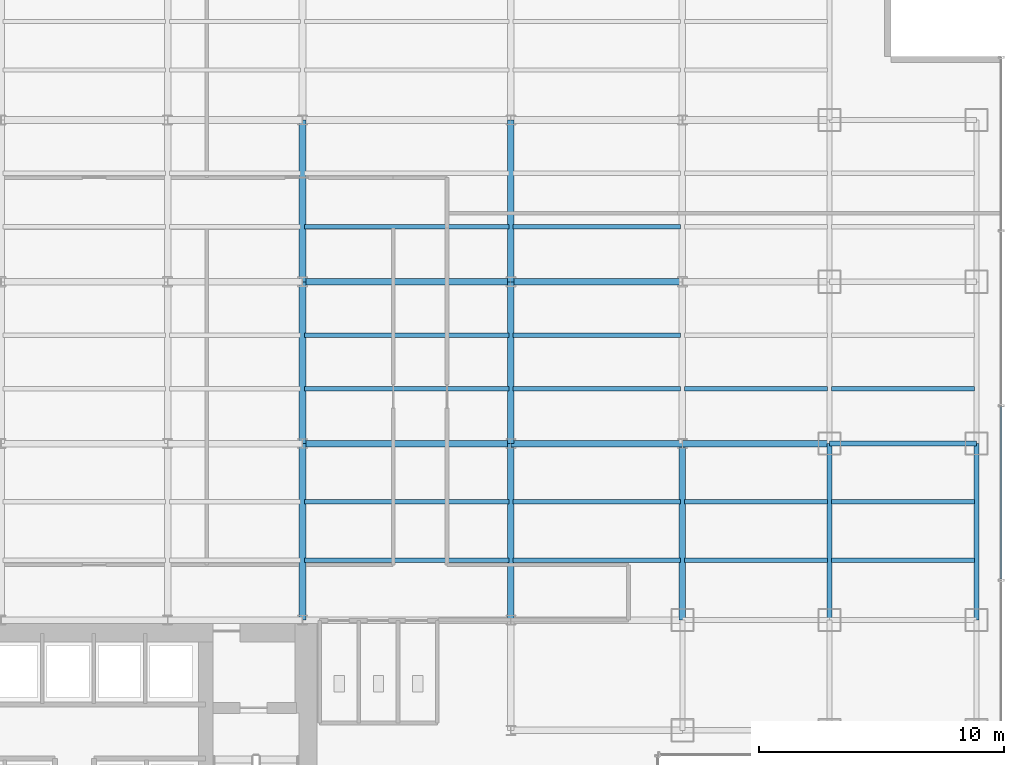
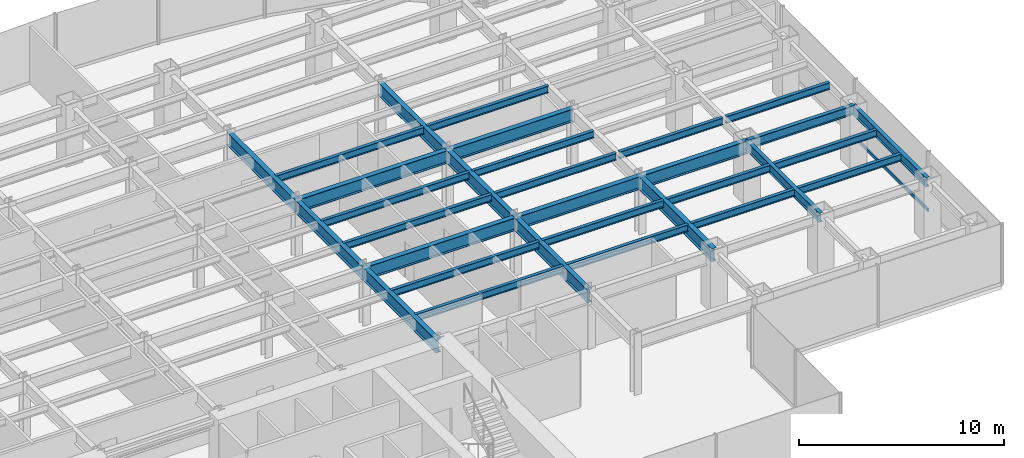
# One storey, part 8 of 23: 31 beams, 1 member, 1 element without a shape of its own.
"""IFC4 building model written with IfcOpenShell, lengths in metres."""

from ifc_helpers import new_model, si_unit, derived_unit, direction, frame, origin, origin_2d, place, context, subcontext, project, spatial, hollow_rectangle, i_section, extrude, source, transform, mapped, material, material_profile, profile_set, type_object, element, aggregate, save


model = new_model("IFC4")

# Units and contexts
model_context = context("Model", 3, precision=1e-05, world=origin(), true_north=direction((0.0, 1.0)))
body_context = subcontext(model_context, "Body", "Model", "MODEL_VIEW")
ifc_project = project(units=[si_unit("LENGTHUNIT", "METRE"), si_unit("AREAUNIT", "SQUARE_METRE"), si_unit("VOLUMEUNIT", "CUBIC_METRE"), si_unit("PLANEANGLEUNIT", "RADIAN"), si_unit("MASSUNIT", "GRAM", prefix="KILO"), derived_unit("THERMALTRANSMITTANCEUNIT", [(si_unit("POWERUNIT", "WATT"), 1), (si_unit("LENGTHUNIT", "METRE"), -2), (si_unit("THERMODYNAMICTEMPERATUREUNIT", "KELVIN"), -1)])], contexts=[model_context])

# Site, building, storey
site_placement = place(None, origin())
site = spatial("IfcSite", under=ifc_project, at=site_placement, CompositionType="ELEMENT")
building_placement = place(site_placement, origin())
building = spatial("IfcBuilding", under=site, at=building_placement, Name="Skarnbrae Concourse Arena and Tower", CompositionType="ELEMENT")
storey_placement = place(building_placement, frame((0.0, 0.0, 47.10009765625)))
storey = spatial("IfcBuildingStorey", under=building, at=storey_placement, Name="L10", CompositionType="ELEMENT", Elevation=47.10009765625)

# Beams
ifc_material_1 = material(Name="Steel CSA G40.21 350W", Category="steel")
ifc_material_profile_1 = material_profile(ifc_material_1, i_section(OverallWidth=0.26806640625, OverallDepth=0.77001953125, WebThickness=0.015625, FlangeThickness=0.025390625, at=origin_2d()), Name="W760X196")
ifc_profile_set_1 = profile_set([ifc_material_profile_1], Name="Steel CSA G40.21 350W")
beam_type_1 = type_object("IfcBeamType", Name="BM-GIRD-W760X196", PredefinedType="BEAM", material=ifc_profile_set_1)
shared_shape_1 = source(origin(), body_context, "Body", "SweptSolid", [
    extrude(i_section(OverallWidth=0.26806640625, OverallDepth=0.77001953125, WebThickness=0.015625, FlangeThickness=0.025390625, at=origin_2d()), origin(), (0.0, 0.0, 1.0), 7.0),
])
for number, where, z_axis, x_axis, name in (
    (1, (42.0, 21.199951171875, 3.014892578125), (1.0, 0.0, 0.0), (0.0, 1.0, 0.0), "L10 Primary E-W girder Y21.2-7"),
    (2, (42.0, 27.800048828125, 3.014892578125), (1.0, 0.0, 0.0), (0.0, 1.0, 0.0), "L10 Primary E-W girder Y27.8-7"),
):
    element("IfcBeam", number, at=place(storey_placement, frame(where, z_axis=z_axis, x_axis=x_axis)), inside=storey, type_object=beam_type_1, Name=name, PredefinedType="BEAM", context=body_context, shape_type="MappedRepresentation", body=[
        mapped(shared_shape_1, transform((0.0, 0.0, 0.0))),
    ])
ifc_material_profile_2 = material_profile(ifc_material_1, i_section(OverallWidth=0.214111328125, OverallDepth=0.549072265625, WebThickness=0.0146484375, FlangeThickness=0.023681640625, at=origin_2d()), Name="W530X138")
ifc_profile_set_2 = profile_set([ifc_material_profile_2], Name="Steel CSA G40.21 350W")
beam_type_2 = type_object("IfcBeamType", Name="BM-SPAN-W530X138", PredefinedType="SPANDREL", material=ifc_profile_set_2)
shared_shape_2 = source(origin(), body_context, "Body", "SweptSolid", [
    extrude(i_section(OverallWidth=0.214111328125, OverallDepth=0.549072265625, WebThickness=0.0146484375, FlangeThickness=0.023681640625, at=origin_2d()), origin(), (0.0, 0.0, 1.0), 6.0),
])
beam_1_placement = place(storey_placement, frame((55.0, 21.199951171875, 3.12548828125), z_axis=(1.0, 0.0, 0.0), x_axis=(0.0, 1.0, 0.0)))
element("IfcBeam", 3, at=beam_1_placement, inside=storey, type_object=beam_type_2, Name="L10 Perimeter spandrel Y21.2-9", PredefinedType="SPANDREL", context=body_context, shape_type="MappedRepresentation", body=[
    mapped(shared_shape_2, transform((0.0, 0.0, 0.0))),
])
shared_shape_3 = source(origin(), body_context, "Body", "SweptSolid", [
    extrude(i_section(OverallWidth=0.26806640625, OverallDepth=0.77001953125, WebThickness=0.015625, FlangeThickness=0.025390625, at=origin_2d()), origin(), (0.0, 0.0, 1.0), 6.60009765625),
])
for number, where, z_axis, x_axis, name in (
    (4, (33.5, 21.199951171875, 3.014892578125), (0.0, 1.0, 0.0), (-1.0, 0.0, 0.0), "L10 Primary N-S girder X33.5-2"),
    (5, (42.0, 21.199951171875, 3.014892578125), (0.0, 1.0, 0.0), (-1.0, 0.0, 0.0), "L10 Primary N-S girder X42.0-3"),
):
    element("IfcBeam", number, at=place(storey_placement, frame(where, z_axis=z_axis, x_axis=x_axis)), inside=storey, type_object=beam_type_1, Name=name, PredefinedType="BEAM", context=body_context, shape_type="MappedRepresentation", body=[
        mapped(shared_shape_3, transform((0.0, 0.0, 0.0))),
    ])
shared_shape_4 = source(origin(), body_context, "Body", "SweptSolid", [
    extrude(i_section(OverallWidth=0.26806640625, OverallDepth=0.77001953125, WebThickness=0.015625, FlangeThickness=0.025390625, at=origin_2d()), origin(), (0.0, 0.0, 1.0), 8.5),
])
for number, where, z_axis, x_axis, name in (
    (6, (33.5, 21.199951171875, 3.014892578125), (1.0, 0.0, 0.0), (0.0, 1.0, 0.0), "L10 Primary E-W girder Y21.2-6"),
    (7, (33.5, 27.800048828125, 3.014892578125), (1.0, 0.0, 0.0), (0.0, 1.0, 0.0), "L10 Primary E-W girder Y27.8-6"),
):
    element("IfcBeam", number, at=place(storey_placement, frame(where, z_axis=z_axis, x_axis=x_axis)), inside=storey, type_object=beam_type_1, Name=name, PredefinedType="BEAM", context=body_context, shape_type="MappedRepresentation", body=[
        mapped(shared_shape_4, transform((0.0, 0.0, 0.0))),
    ])
shared_shape_5 = source(origin(), body_context, "Body", "SweptSolid", [
    extrude(i_section(OverallWidth=0.26806640625, OverallDepth=0.77001953125, WebThickness=0.015625, FlangeThickness=0.025390625, at=origin_2d()), origin(), (0.0, 0.0, 1.0), 6.0),
])
beam_2_placement = place(storey_placement, frame((49.0, 21.199951171875, 3.014892578125), z_axis=(1.0, 0.0, 0.0), x_axis=(0.0, 1.0, 0.0)))
element("IfcBeam", 8, at=beam_2_placement, inside=storey, type_object=beam_type_1, Name="L10 Primary E-W girder Y21.2-8", PredefinedType="BEAM", context=body_context, shape_type="MappedRepresentation", body=[
    mapped(shared_shape_5, transform((0.0, 0.0, 0.0))),
])
shared_shape_6 = source(origin(), body_context, "Body", "SweptSolid", [
    extrude(i_section(OverallWidth=0.214111328125, OverallDepth=0.549072265625, WebThickness=0.0146484375, FlangeThickness=0.023681640625, at=origin_2d()), origin(), (0.0, 0.0, 1.0), 7.199951171875),
])
for number, where, z_axis, x_axis, name in (
    (9, (55.0, 14.0, 3.12548828125), (0.0, 1.0, 0.0), (-1.0, 0.0, 0.0), "L10 Perimeter spandrel X55.0-2"),
    (10, (61.0, 14.0, 3.12548828125), (0.0, 1.0, 0.0), (-1.0, 0.0, 0.0), "L10 Perimeter spandrel X61.0-2"),
):
    element("IfcBeam", number, at=place(storey_placement, frame(where, z_axis=z_axis, x_axis=x_axis)), inside=storey, type_object=beam_type_2, Name=name, PredefinedType="SPANDREL", context=body_context, shape_type="MappedRepresentation", body=[
        mapped(shared_shape_6, transform((0.0, 0.0, 0.0))),
    ])
shared_shape_7 = source(origin(), body_context, "Body", "SweptSolid", [
    extrude(i_section(OverallWidth=0.26806640625, OverallDepth=0.77001953125, WebThickness=0.015625, FlangeThickness=0.025390625, at=origin_2d()), origin(), (0.0, 0.0, 1.0), 7.199951171875),
])
for number, where, z_axis, x_axis, name in (
    (11, (33.5, 14.0, 3.014892578125), (0.0, 1.0, 0.0), (-1.0, 0.0, 0.0), "L10 Primary N-S girder X33.5-1"),
    (12, (42.0, 14.0, 3.014892578125), (0.0, 1.0, 0.0), (-1.0, 0.0, 0.0), "L10 Primary N-S girder X42.0-2"),
    (13, (49.0, 14.0, 3.014892578125), (0.0, 1.0, 0.0), (-1.0, 0.0, 0.0), "L10 Primary N-S girder X49.0-2"),
):
    element("IfcBeam", number, at=place(storey_placement, frame(where, z_axis=z_axis, x_axis=x_axis)), inside=storey, type_object=beam_type_1, Name=name, PredefinedType="BEAM", context=body_context, shape_type="MappedRepresentation", body=[
        mapped(shared_shape_7, transform((0.0, 0.0, 0.0))),
    ])
shared_shape_8 = source(origin(), body_context, "Body", "SweptSolid", [
    extrude(i_section(OverallWidth=0.26806640625, OverallDepth=0.77001953125, WebThickness=0.015625, FlangeThickness=0.025390625, at=origin_2d()), origin(), (0.0, 0.0, 1.0), 6.599853515625),
])
for number, where, z_axis, x_axis, name in (
    (14, (33.5, 27.800048828125, 3.014892578125), (0.0, 1.0, 0.0), (-1.0, 0.0, 0.0), "L10 Primary N-S girder X33.5-3"),
    (15, (42.0, 27.800048828125, 3.014892578125), (0.0, 1.0, 0.0), (-1.0, 0.0, 0.0), "L10 Primary N-S girder X42.0-4"),
):
    element("IfcBeam", number, at=place(storey_placement, frame(where, z_axis=z_axis, x_axis=x_axis)), inside=storey, type_object=beam_type_1, Name=name, PredefinedType="BEAM", context=body_context, shape_type="MappedRepresentation", body=[
        mapped(shared_shape_8, transform((0.0, 0.0, 0.0))),
    ])
ifc_material_profile_3 = material_profile(ifc_material_1, i_section(OverallWidth=0.180908203125, OverallDepth=0.4169921875, WebThickness=0.010986328125, FlangeThickness=0.018310546875, at=origin_2d()), Name="W410X85")
ifc_profile_set_3 = profile_set([ifc_material_profile_3], Name="Steel CSA G40.21 350W")
beam_type_3 = type_object("IfcBeamType", Name="BM-JOIST-W410X85", PredefinedType="JOIST", material=ifc_profile_set_3)
shared_shape_9 = source(origin(), body_context, "Body", "SweptSolid", [
    extrude(i_section(OverallWidth=0.180908203125, OverallDepth=0.4169921875, WebThickness=0.010986328125, FlangeThickness=0.018310546875, at=origin_2d()), origin(), (0.0, 0.0, 1.0), 8.33984375),
])
for number, where, z_axis, x_axis, name in (
    (16, (33.580078125, 16.447998046875, 3.19140625), (1.0, 0.0, 0.0), (0.0, 1.0, 0.0), "L10 Secondary floor joist 1.1.6"),
    (17, (33.580078125, 18.823974609375, 3.19140625), (1.0, 0.0, 0.0), (0.0, 1.0, 0.0), "L10 Secondary floor joist 1.2.6"),
    (18, (33.580078125, 23.444091796875, 3.19140625), (1.0, 0.0, 0.0), (0.0, 1.0, 0.0), "L10 Secondary floor joist 2.1.6"),
    (19, (33.580078125, 25.6220703125, 3.19140625), (1.0, 0.0, 0.0), (0.0, 1.0, 0.0), "L10 Secondary floor joist 2.2.6"),
    (20, (33.580078125, 30.0439453125, 3.19140625), (1.0, 0.0, 0.0), (0.0, 1.0, 0.0), "L10 Secondary floor joist 3.1.6"),
):
    element("IfcBeam", number, at=place(storey_placement, frame(where, z_axis=z_axis, x_axis=x_axis)), inside=storey, type_object=beam_type_3, Name=name, PredefinedType="JOIST", context=body_context, shape_type="MappedRepresentation", body=[
        mapped(shared_shape_9, transform((0.0, 0.0, 0.0))),
    ])
shared_shape_10 = source(origin(), body_context, "Body", "SweptSolid", [
    extrude(i_section(OverallWidth=0.180908203125, OverallDepth=0.4169921875, WebThickness=0.010986328125, FlangeThickness=0.018310546875, at=origin_2d()), origin(), (0.0, 0.0, 1.0), 6.83984375),
])
for number, where, z_axis, x_axis, name in (
    (21, (42.080078125, 16.447998046875, 3.19140625), (1.0, 0.0, 0.0), (0.0, 1.0, 0.0), "L10 Secondary floor joist 1.1.7"),
    (22, (42.080078125, 18.823974609375, 3.19140625), (1.0, 0.0, 0.0), (0.0, 1.0, 0.0), "L10 Secondary floor joist 1.2.7"),
    (23, (42.080078125, 23.444091796875, 3.19140625), (1.0, 0.0, 0.0), (0.0, 1.0, 0.0), "L10 Secondary floor joist 2.1.7"),
    (24, (42.080078125, 25.6220703125, 3.19140625), (1.0, 0.0, 0.0), (0.0, 1.0, 0.0), "L10 Secondary floor joist 2.2.7"),
    (25, (42.080078125, 30.0439453125, 3.19140625), (1.0, 0.0, 0.0), (0.0, 1.0, 0.0), "L10 Secondary floor joist 3.1.7"),
):
    element("IfcBeam", number, at=place(storey_placement, frame(where, z_axis=z_axis, x_axis=x_axis)), inside=storey, type_object=beam_type_3, Name=name, PredefinedType="JOIST", context=body_context, shape_type="MappedRepresentation", body=[
        mapped(shared_shape_10, transform((0.0, 0.0, 0.0))),
    ])
shared_shape_11 = source(origin(), body_context, "Body", "SweptSolid", [
    extrude(i_section(OverallWidth=0.180908203125, OverallDepth=0.4169921875, WebThickness=0.010986328125, FlangeThickness=0.018310546875, at=origin_2d()), origin(), (0.0, 0.0, 1.0), 5.83984375),
])
for number, where, z_axis, x_axis, name in (
    (26, (49.080078125, 16.447998046875, 3.19140625), (1.0, 0.0, 0.0), (0.0, 1.0, 0.0), "L10 Secondary floor joist 1.1.8"),
    (27, (55.080078125, 16.447998046875, 3.19140625), (1.0, 0.0, 0.0), (0.0, 1.0, 0.0), "L10 Secondary floor joist 1.1.9"),
    (28, (49.080078125, 18.823974609375, 3.19140625), (1.0, 0.0, 0.0), (0.0, 1.0, 0.0), "L10 Secondary floor joist 1.2.8"),
    (29, (55.080078125, 18.823974609375, 3.19140625), (1.0, 0.0, 0.0), (0.0, 1.0, 0.0), "L10 Secondary floor joist 1.2.9"),
    (30, (49.080078125, 23.444091796875, 3.19140625), (1.0, 0.0, 0.0), (0.0, 1.0, 0.0), "L10 Secondary floor joist 2.1.8"),
    (31, (55.080078125, 23.444091796875, 3.19140625), (1.0, 0.0, 0.0), (0.0, 1.0, 0.0), "L10 Secondary floor joist 2.1.9"),
):
    element("IfcBeam", number, at=place(storey_placement, frame(where, z_axis=z_axis, x_axis=x_axis)), inside=storey, type_object=beam_type_3, Name=name, PredefinedType="JOIST", context=body_context, shape_type="MappedRepresentation", body=[
        mapped(shared_shape_11, transform((0.0, 0.0, 0.0))),
    ])

# Curtain wall, member
ifc_material_2 = material(Name="Bronze anodised aluminium 6063-T6", Category="aluminium")
curtain_wall_type = type_object("IfcCurtainWallType", Name="CW-SYS-02-LOWZONE", PredefinedType="USERDEFINED", material=ifc_material_2)
curtain_wall_placement = place(storey_placement, origin())
curtain_wall = element("IfcCurtainWall", 32, at=curtain_wall_placement, inside=storey, type_object=curtain_wall_type, Name="L10 Unitised curtain wall CW-L10-E04", ObjectType="UNITISED CURTAIN WALL", PredefinedType="USERDEFINED")
ifc_material_profile_4 = material_profile(ifc_material_2, hollow_rectangle(XDim=0.080078125, YDim=0.18994140625, WallThickness=0.0048828125, at=origin_2d()), Name="ALU-TRAN-80X190")
ifc_profile_set_4 = profile_set([ifc_material_profile_4], Name="Bronze anodised aluminium 6063-T6")
member_type = type_object("IfcMemberType", Name="CWT-CW-02", PredefinedType="USERDEFINED", material=ifc_profile_set_4)
shared_shape_12 = source(origin(), body_context, "Body", "SweptSolid", [
    extrude(hollow_rectangle(XDim=0.080078125, YDim=0.18994140625, WallThickness=0.0048828125, at=origin_2d()), origin(), (0.0, 0.0, 1.0), 7.044921875),
])
member_placement = place(storey_placement, frame((62.0, 15.6650390625, 0.094970703125), z_axis=(0.0, 1.0, 0.0), x_axis=(-1.0, 0.0, 0.0)))
member = element("IfcMember", 33, at=member_placement, type_object=member_type, Name="CW-L10-E04 Transom 2", ObjectType="TRANSOM", PredefinedType="USERDEFINED", context=body_context, shape_type="MappedRepresentation", body=[
    mapped(shared_shape_12, transform((0.0, 0.0, 0.0))),
])
aggregate(curtain_wall, [member])

save(model, "model.ifc")
